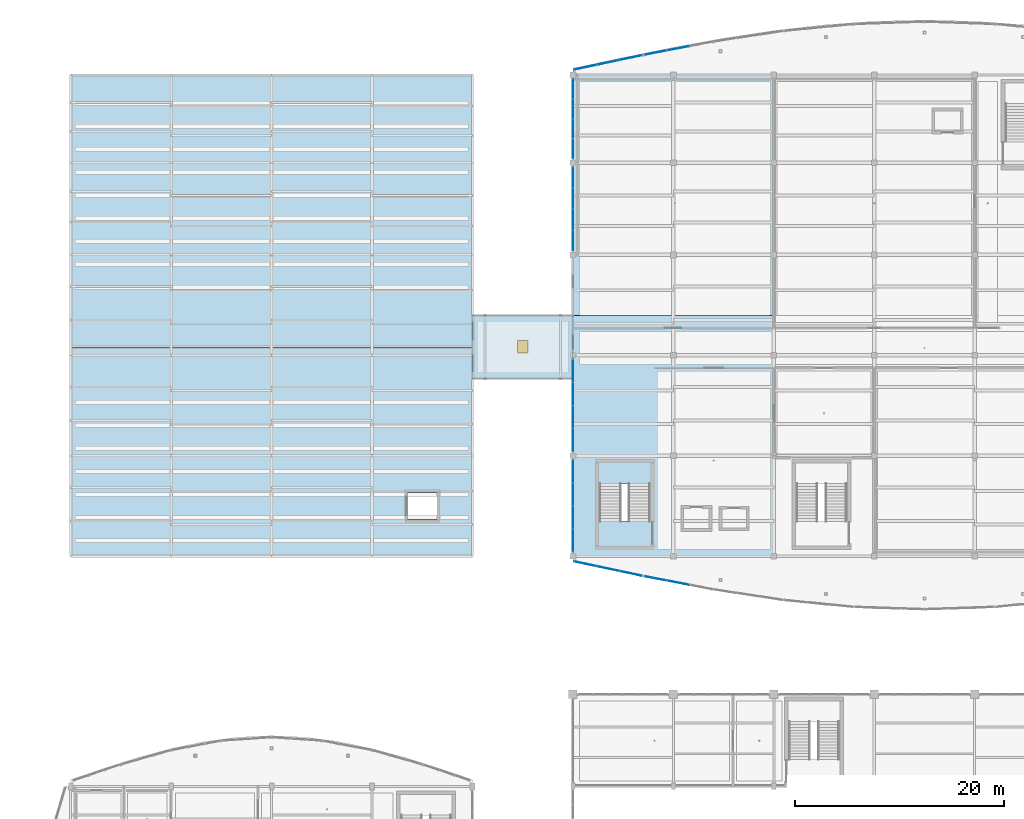
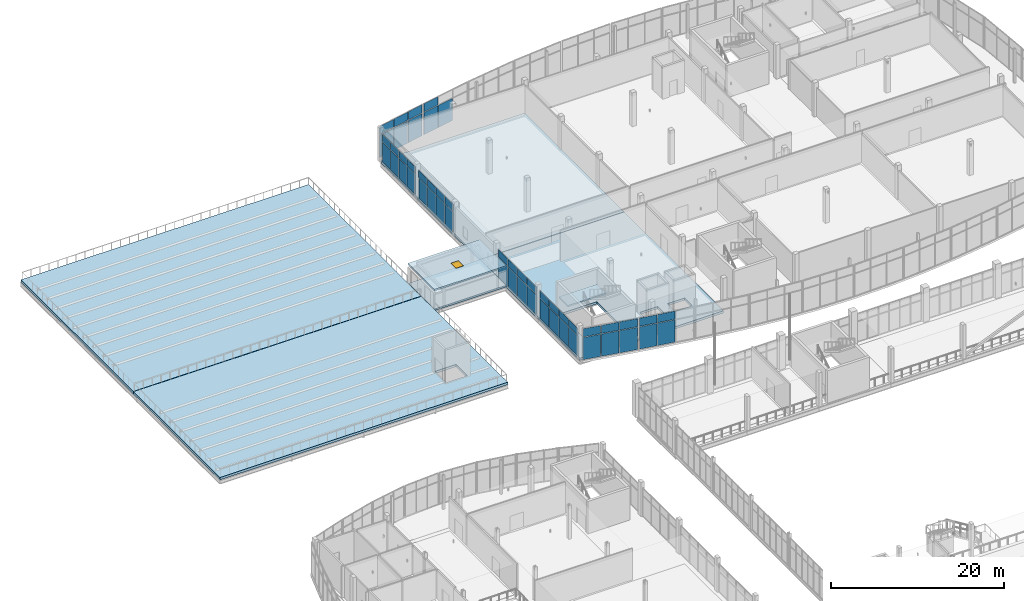
# One storey, part 122 of 157: 51 plates, 7 slabs, 1 door, 1 opening, 9 elements without a shape of their own.
"""IFC4 building model written with IfcOpenShell, lengths in metres."""

from ifc_helpers import new_model, si_unit, direction, frame, origin, origin_2d, place, context, subcontext, project, spatial, polyline, rectangle, outline, extrude, material, layer, layer_set, type_object, element, fill, aggregate, save


model = new_model("IFC4")

# Units and contexts
model_context = context("Model", 3, precision=1e-05, world=origin(), true_north=direction((0.0, 1.0)))
body_context = subcontext(model_context, "Body", "Model", "MODEL_VIEW")
ifc_project = project(units=[si_unit("LENGTHUNIT", "METRE"), si_unit("AREAUNIT", "SQUARE_METRE"), si_unit("VOLUMEUNIT", "CUBIC_METRE"), si_unit("PLANEANGLEUNIT", "RADIAN"), si_unit("MASSUNIT", "GRAM", prefix="KILO")], contexts=[model_context])

# Site, building, storey
site_placement = place(None, origin())
site = spatial("IfcSite", under=ifc_project, at=site_placement, CompositionType="ELEMENT")
building_placement = place(site_placement, origin())
building = spatial("IfcBuilding", under=site, at=building_placement, Name="Chalmorin Arch Market", CompositionType="ELEMENT")
storey_placement = place(building_placement, frame((0.0, 0.0, 4.800048828125)))
storey = spatial("IfcBuildingStorey", under=building, at=storey_placement, Name="L01", CompositionType="ELEMENT", Elevation=4.800048828125)

# Slab, opening, door
ifc_material_1 = material(Name="Concrete C40/50", Category="concrete")
ifc_layer_1 = layer(ifc_material_1, 0.219970703125)
ifc_layer_set_1 = layer_set([ifc_layer_1], Name="Concrete C40/50")
slab_type_1 = type_object("IfcSlabType", Name="ColonnadeCanopySlab-220", PredefinedType="ROOF", material=ifc_layer_set_1)
slab_1_placement = place(storey_placement, frame((0.0, 0.0, 2.579833984375)))
slab_1 = element("IfcSlab", 1, at=slab_1_placement, inside=storey, type_object=slab_type_1, Name="RS-220-WMP", PredefinedType="ROOF", context=body_context, shape_type="SweptSolid", body=[
    extrude(outline(polyline([(38.39990234375, 88.949951171875), (48.0, 88.949951171875), (48.0, 95.050048828125), (38.39990234375, 95.050048828125), (38.39990234375, 88.949951171875)])), origin(), (0.0, 0.0, 1.0), 0.22021484375),
])
opening_placement = place(slab_1_placement, frame((43.199951171875, 92.0, -0.010009765625)))
opening = element("IfcOpeningElement", 2, at=opening_placement, cuts=slab_1, Name="Opening RH-063", PredefinedType="OPENING", context=body_context, shape_type="SweptSolid", body=[
    extrude(rectangle(XDim=1.0, YDim=1.199951171875, at=origin_2d()), origin(), (0.0, 0.0, 1.0), 0.240234375),
])
ifc_material_2 = material(Name="Galvanised Steel", Category="steel")
door_type = type_object("IfcDoorType", Name="RoofAccessHatchDoor-1000x1200", OperationType="SWING_FIXED_LEFT", PredefinedType="TRAPDOOR", material=ifc_material_2)
door_placement = place(slab_1_placement, frame((43.199951171875, 92.0, 0.170166015625)))
door = element("IfcDoor", 3, at=door_placement, inside=storey, type_object=door_type, Name="RH-063", OperationType="SINGLE_SWING_LEFT", OverallHeight=1.199951171875, OverallWidth=1.0, PredefinedType="TRAPDOOR", context=body_context, shape_type="SweptSolid", body=[
    extrude(rectangle(XDim=1.0, YDim=1.199951171875, at=origin_2d()), origin(), (0.0, 0.0, 1.0), 0.050048828125),
])
fill(opening, door)

# Slabs
ifc_layer_2 = layer(ifc_material_1, 0.340087890625)
ifc_layer_set_2 = layer_set([ifc_layer_2], Name="Concrete C40/50")
slab_type_2 = type_object("IfcSlabType", Name="GreenMoundDeckSlab-340", PredefinedType="FLOOR", material=ifc_layer_set_2)
slab_2_placement = place(storey_placement, frame((0.0, 0.0, -0.340087890625)))
element("IfcSlab", 4, at=slab_2_placement, inside=storey, type_object=slab_type_2, Name="ETS-340-094", PredefinedType="FLOOR", context=body_context, shape_type="SweptSolid", body=[
    extrude(outline(polyline([(0.010009765625, 72.0), (38.389892578125, 72.0), (38.389892578125, 91.97998046875), (0.010009765625, 91.97998046875), (0.010009765625, 72.0)]), holes=[polyline([(32.199951171875, 75.5), (35.0, 75.5), (35.0, 78.10009765625), (32.199951171875, 78.10009765625), (32.199951171875, 75.5)])]), origin(), (0.0, 0.0, 1.0), 0.340087890625),
])
slab_3_placement = place(storey_placement, frame((0.0, 0.0, -0.340087890625)))
element("IfcSlab", 5, at=slab_3_placement, inside=storey, type_object=slab_type_2, Name="ETS-340-095", PredefinedType="FLOOR", context=body_context, shape_type="SweptSolid", body=[
    extrude(outline(polyline([(0.010009765625, 92.02001953125), (38.389892578125, 92.02001953125), (38.389892578125, 118.0), (0.010009765625, 118.0), (0.010009765625, 92.02001953125)])), origin(), (0.0, 0.0, 1.0), 0.340087890625),
])
ifc_layer_3 = layer(ifc_material_1, 0.320068359375)
ifc_layer_set_3 = layer_set([ifc_layer_3], Name="Concrete C40/50")
slab_type_3 = type_object("IfcSlabType", Name="KitchenHeavyFloorSlab-320", PredefinedType="FLOOR", material=ifc_layer_set_3)
slab_4_placement = place(storey_placement, frame((0.0, 0.0, -0.320068359375)))
element("IfcSlab", 6, at=slab_4_placement, inside=storey, type_object=slab_type_3, Name="FS-320-098", PredefinedType="FLOOR", context=body_context, shape_type="SweptSolid", body=[
    extrude(outline(polyline([(48.010009765625, 72.0), (67.18994140625, 72.0), (67.18994140625, 94.989990234375), (48.010009765625, 94.989990234375), (48.010009765625, 72.0)]), holes=[polyline([(50.5, 75.35009765625), (55.39990234375, 75.35009765625), (55.39990234375, 80.89990234375), (50.5, 80.89990234375), (50.5, 75.35009765625)]), polyline([(58.60009765625, 74.64990234375), (61.0, 74.64990234375), (61.0, 76.550048828125), (58.60009765625, 76.550048828125), (58.60009765625, 74.64990234375)]), polyline([(62.25, 74.72509765625), (64.550048828125, 74.72509765625), (64.550048828125, 76.47509765625), (62.25, 76.47509765625), (62.25, 74.72509765625)])]), origin(), (0.0, 0.0, 1.0), 0.320068359375),
])
slab_5_placement = place(storey_placement, frame((0.0, 0.0, -0.320068359375)))
element("IfcSlab", 7, at=slab_5_placement, inside=storey, type_object=slab_type_3, Name="FS-320-099", PredefinedType="FLOOR", context=body_context, shape_type="SweptSolid", body=[
    extrude(outline(polyline([(48.010009765625, 95.010009765625), (67.18994140625, 95.010009765625), (67.18994140625, 118.0), (48.010009765625, 118.0), (48.010009765625, 95.010009765625)])), origin(), (0.0, 0.0, 1.0), 0.320068359375),
])
ifc_layer_4 = layer(ifc_material_1, 0.25)
ifc_layer_set_4 = layer_set([ifc_layer_4], Name="Concrete C40/50")
slab_type_4 = type_object("IfcSlabType", Name="MezzanineDeckSlab-250", PredefinedType="FLOOR", material=ifc_layer_set_4)
slab_6_placement = place(storey_placement, frame((0.0, 0.0, -0.25)))
element("IfcSlab", 8, at=slab_6_placement, inside=storey, type_object=slab_type_4, Name="FS-250-712", PredefinedType="FLOOR", context=body_context, shape_type="SweptSolid", body=[
    extrude(outline(polyline([(38.419921875, 89.0), (47.97998046875, 89.0), (47.97998046875, 95.0), (38.419921875, 95.0), (38.419921875, 89.0)])), origin(), (0.0, 0.0, 1.0), 0.25),
])

# Curtain wall, plates
ifc_material_3 = material(Name="Aluminium 6063-T6", Category="aluminium")
ifc_layer_5 = layer(ifc_material_3, 0.159912109375)
ifc_layer_set_5 = layer_set([ifc_layer_5], Name="Aluminium 6063-T6")
curtain_wall_type_1 = type_object("IfcCurtainWallType", Name="CulinaryStudioCurtainWall-CW3-8830x4050", PredefinedType="NOTDEFINED", material=ifc_layer_set_5)
curtain_wall_1_placement = place(storey_placement, origin())
curtain_wall_1 = element("IfcCurtainWall", 9, at=curtain_wall_1_placement, inside=storey, type_object=curtain_wall_type_1, Name="CW-03-107", PredefinedType="NOTDEFINED")
ifc_material_4 = material(Name="Powder-coated Aluminium Panel", Category="aluminium")
ifc_layer_6 = layer(ifc_material_4, 0.0400390625)
ifc_layer_set_6 = layer_set([ifc_layer_6], Name="Powder-coated Aluminium Panel")
plate_type_1 = type_object("IfcPlateType", Name="ShadowboxSpandrelPanel-40", PredefinedType="CURTAIN_PANEL", material=ifc_layer_set_6)
plate_1_placement = place(storey_placement, frame((48.0, 73.48876953125, 2.9580078125), z_axis=(0.0, 0.0, 1.0), x_axis=(0.0, 1.0, 0.0)))
plate_1 = element("IfcPlate", 10, at=plate_1_placement, type_object=plate_type_1, Name="SP-40-107-01B", PredefinedType="CURTAIN_PANEL", context=body_context, shape_type="SweptSolid", body=[
    extrude(rectangle(XDim=2.12744140625, YDim=0.0400390625, at=origin_2d()), origin(), (0.0, 0.0, 1.0), 1.017822265625),
])
plate_2_placement = place(storey_placement, frame((48.0, 75.6962890625, 2.9580078125), z_axis=(0.0, 0.0, 1.0), x_axis=(0.0, 1.0, 0.0)))
plate_2 = element("IfcPlate", 11, at=plate_2_placement, type_object=plate_type_1, Name="SP-40-107-02B", PredefinedType="CURTAIN_PANEL", context=body_context, shape_type="SweptSolid", body=[
    extrude(rectangle(XDim=2.12744140625, YDim=0.0400390625, at=origin_2d()), origin(), (0.0, 0.0, 1.0), 1.017822265625),
])
plate_3_placement = place(storey_placement, frame((48.0, 77.90380859375, 2.9580078125), z_axis=(0.0, 0.0, 1.0), x_axis=(0.0, 1.0, 0.0)))
plate_3 = element("IfcPlate", 12, at=plate_3_placement, type_object=plate_type_1, Name="SP-40-107-03B", PredefinedType="CURTAIN_PANEL", context=body_context, shape_type="SweptSolid", body=[
    extrude(rectangle(XDim=2.12744140625, YDim=0.0400390625, at=origin_2d()), origin(), (0.0, 0.0, 1.0), 1.017822265625),
])
plate_4_placement = place(storey_placement, frame((48.0, 80.111083984375, 2.9580078125), z_axis=(0.0, 0.0, 1.0), x_axis=(0.0, 1.0, 0.0)))
plate_4 = element("IfcPlate", 13, at=plate_4_placement, type_object=plate_type_1, Name="SP-40-107-04B", PredefinedType="CURTAIN_PANEL", context=body_context, shape_type="SweptSolid", body=[
    extrude(rectangle(XDim=2.12744140625, YDim=0.0400390625, at=origin_2d()), origin(), (0.0, 0.0, 1.0), 1.017822265625),
])

curtain_wall_2_placement = place(storey_placement, origin())
curtain_wall_2 = element("IfcCurtainWall", 14, at=curtain_wall_2_placement, inside=storey, type_object=curtain_wall_type_1, Name="CW-03-110", PredefinedType="NOTDEFINED")
plate_5_placement = place(storey_placement, frame((48.0, 83.0888671875, 2.9580078125), z_axis=(0.0, 0.0, 1.0), x_axis=(0.0, 1.0, 0.0)))
plate_5 = element("IfcPlate", 15, at=plate_5_placement, type_object=plate_type_1, Name="SP-40-110-01B", PredefinedType="CURTAIN_PANEL", context=body_context, shape_type="SweptSolid", body=[
    extrude(rectangle(XDim=2.12744140625, YDim=0.0400390625, at=origin_2d()), origin(), (0.0, 0.0, 1.0), 1.017822265625),
])
plate_6_placement = place(storey_placement, frame((48.0, 85.29638671875, 2.9580078125), z_axis=(0.0, 0.0, 1.0), x_axis=(0.0, 1.0, 0.0)))
plate_6 = element("IfcPlate", 16, at=plate_6_placement, type_object=plate_type_1, Name="SP-40-110-02B", PredefinedType="CURTAIN_PANEL", context=body_context, shape_type="SweptSolid", body=[
    extrude(rectangle(XDim=2.12744140625, YDim=0.0400390625, at=origin_2d()), origin(), (0.0, 0.0, 1.0), 1.017822265625),
])
plate_7_placement = place(storey_placement, frame((48.0, 87.503662109375, 2.9580078125), z_axis=(0.0, 0.0, 1.0), x_axis=(0.0, 1.0, 0.0)))
plate_7 = element("IfcPlate", 17, at=plate_7_placement, type_object=plate_type_1, Name="SP-40-110-03B", PredefinedType="CURTAIN_PANEL", context=body_context, shape_type="SweptSolid", body=[
    extrude(rectangle(XDim=2.12744140625, YDim=0.0400390625, at=origin_2d()), origin(), (0.0, 0.0, 1.0), 1.017822265625),
])
plate_8_placement = place(storey_placement, frame((48.0, 89.711181640625, 2.9580078125), z_axis=(0.0, 0.0, 1.0), x_axis=(0.0, 1.0, 0.0)))
plate_8 = element("IfcPlate", 18, at=plate_8_placement, type_object=plate_type_1, Name="SP-40-110-04B", PredefinedType="CURTAIN_PANEL", context=body_context, shape_type="SweptSolid", body=[
    extrude(rectangle(XDim=2.12744140625, YDim=0.0400390625, at=origin_2d()), origin(), (0.0, 0.0, 1.0), 1.017822265625),
])

ifc_layer_7 = layer(ifc_material_3, 0.159912109375)
ifc_layer_set_7 = layer_set([ifc_layer_7], Name="Aluminium 6063-T6")
curtain_wall_type_2 = type_object("IfcCurtainWallType", Name="CulinaryStudioCurtainWall-CW3-8030x4050", PredefinedType="NOTDEFINED", material=ifc_layer_set_7)
curtain_wall_3_placement = place(storey_placement, origin())
curtain_wall_3 = element("IfcCurtainWall", 19, at=curtain_wall_3_placement, inside=storey, type_object=curtain_wall_type_2, Name="CW-03-115", PredefinedType="NOTDEFINED")
plate_9_placement = place(storey_placement, frame((48.0, 102.188720703125, 2.9580078125), z_axis=(0.0, 0.0, 1.0), x_axis=(0.0, 1.0, 0.0)))
plate_9 = element("IfcPlate", 20, at=plate_9_placement, type_object=plate_type_1, Name="SP-40-115-01B", PredefinedType="CURTAIN_PANEL", context=body_context, shape_type="SweptSolid", body=[
    extrude(rectangle(XDim=1.927490234375, YDim=0.0400390625, at=origin_2d()), origin(), (0.0, 0.0, 1.0), 1.017822265625),
])
plate_10_placement = place(storey_placement, frame((48.0, 104.1962890625, 2.9580078125), z_axis=(0.0, 0.0, 1.0), x_axis=(0.0, 1.0, 0.0)))
plate_10 = element("IfcPlate", 21, at=plate_10_placement, type_object=plate_type_1, Name="SP-40-115-02B", PredefinedType="CURTAIN_PANEL", context=body_context, shape_type="SweptSolid", body=[
    extrude(rectangle(XDim=1.927490234375, YDim=0.0400390625, at=origin_2d()), origin(), (0.0, 0.0, 1.0), 1.017822265625),
])
plate_11_placement = place(storey_placement, frame((48.0, 106.20361328125, 2.9580078125), z_axis=(0.0, 0.0, 1.0), x_axis=(0.0, 1.0, 0.0)))
plate_11 = element("IfcPlate", 22, at=plate_11_placement, type_object=plate_type_1, Name="SP-40-115-03B", PredefinedType="CURTAIN_PANEL", context=body_context, shape_type="SweptSolid", body=[
    extrude(rectangle(XDim=1.927490234375, YDim=0.0400390625, at=origin_2d()), origin(), (0.0, 0.0, 1.0), 1.017822265625),
])
plate_12_placement = place(storey_placement, frame((48.0, 108.211181640625, 2.9580078125), z_axis=(0.0, 0.0, 1.0), x_axis=(0.0, 1.0, 0.0)))
plate_12 = element("IfcPlate", 23, at=plate_12_placement, type_object=plate_type_1, Name="SP-40-115-04B", PredefinedType="CURTAIN_PANEL", context=body_context, shape_type="SweptSolid", body=[
    extrude(rectangle(XDim=1.927490234375, YDim=0.0400390625, at=origin_2d()), origin(), (0.0, 0.0, 1.0), 1.017822265625),
])

ifc_layer_8 = layer(ifc_material_3, 0.159912109375)
ifc_layer_set_8 = layer_set([ifc_layer_8], Name="Aluminium 6063-T6")
curtain_wall_type_3 = type_object("IfcCurtainWallType", Name="CulinaryStudioCurtainWall-CW3-7630x4050", PredefinedType="NOTDEFINED", material=ifc_layer_set_8)
curtain_wall_4_placement = place(storey_placement, origin())
curtain_wall_4 = element("IfcCurtainWall", 24, at=curtain_wall_4_placement, inside=storey, type_object=curtain_wall_type_3, Name="CW-03-118", PredefinedType="NOTDEFINED")
plate_13_placement = place(storey_placement, frame((48.0, 110.938720703125, 2.9580078125), z_axis=(0.0, 0.0, 1.0), x_axis=(0.0, 1.0, 0.0)))
plate_13 = element("IfcPlate", 25, at=plate_13_placement, type_object=plate_type_1, Name="SP-40-118-01B", PredefinedType="CURTAIN_PANEL", context=body_context, shape_type="SweptSolid", body=[
    extrude(rectangle(XDim=1.827392578125, YDim=0.0400390625, at=origin_2d()), origin(), (0.0, 0.0, 1.0), 1.017822265625),
])
plate_14_placement = place(storey_placement, frame((48.0, 112.84619140625, 2.9580078125), z_axis=(0.0, 0.0, 1.0), x_axis=(0.0, 1.0, 0.0)))
plate_14 = element("IfcPlate", 26, at=plate_14_placement, type_object=plate_type_1, Name="SP-40-118-02B", PredefinedType="CURTAIN_PANEL", context=body_context, shape_type="SweptSolid", body=[
    extrude(rectangle(XDim=1.827392578125, YDim=0.0400390625, at=origin_2d()), origin(), (0.0, 0.0, 1.0), 1.017822265625),
])
plate_15_placement = place(storey_placement, frame((48.0, 114.753662109375, 2.9580078125), z_axis=(0.0, 0.0, 1.0), x_axis=(0.0, 1.0, 0.0)))
plate_15 = element("IfcPlate", 27, at=plate_15_placement, type_object=plate_type_1, Name="SP-40-118-03B", PredefinedType="CURTAIN_PANEL", context=body_context, shape_type="SweptSolid", body=[
    extrude(rectangle(XDim=1.827392578125, YDim=0.0400390625, at=origin_2d()), origin(), (0.0, 0.0, 1.0), 1.017822265625),
])
plate_16_placement = place(storey_placement, frame((48.0, 116.6611328125, 2.9580078125), z_axis=(0.0, 0.0, 1.0), x_axis=(0.0, 1.0, 0.0)))
plate_16 = element("IfcPlate", 28, at=plate_16_placement, type_object=plate_type_1, Name="SP-40-118-04B", PredefinedType="CURTAIN_PANEL", context=body_context, shape_type="SweptSolid", body=[
    extrude(rectangle(XDim=1.827392578125, YDim=0.0400390625, at=origin_2d()), origin(), (0.0, 0.0, 1.0), 1.017822265625),
])

# Stair, slab
stair_type = type_object("IfcStairType", Name="DoglegExitStair-28R-SC5", PredefinedType="HALF_TURN_STAIR", material=ifc_material_1)
stair_placement = place(storey_placement, origin())
stair = element("IfcStair", 29, at=stair_placement, inside=storey, type_object=stair_type, Name="ST-13", PredefinedType="HALF_TURN_STAIR")
ifc_layer_9 = layer(ifc_material_1, 0.205078125)
ifc_layer_set_9 = layer_set([ifc_layer_9], Name="Concrete C40/50")
slab_type_5 = type_object("IfcSlabType", Name="StairLandingSlab-205", PredefinedType="LANDING", material=ifc_layer_set_9)
slab_7_placement = place(storey_placement, frame((0.0, 0.0, 2.195068359375)))
slab_7 = element("IfcSlab", 30, at=slab_7_placement, type_object=slab_type_5, Name="LS-013", PredefinedType="LANDING", context=body_context, shape_type="SweptSolid", body=[
    extrude(outline(polyline([(50.419921875, 78.909912109375), (55.47998046875, 78.909912109375), (55.47998046875, 80.97998046875), (50.419921875, 80.97998046875), (50.419921875, 78.909912109375)])), origin(), (0.0, 0.0, 1.0), 0.204833984375),
])
aggregate(stair, [slab_7])

# Curtain wall, plates
ifc_layer_10 = layer(ifc_material_3, 0.159912109375)
ifc_layer_set_10 = layer_set([ifc_layer_10], Name="Aluminium 6063-T6")
curtain_wall_type_4 = type_object("IfcCurtainWallType", Name="CulinaryStudioCurtainWall-CW3-6690x4520", PredefinedType="NOTDEFINED", material=ifc_layer_set_10)
curtain_wall_5_placement = place(storey_placement, origin())
curtain_wall_5 = element("IfcCurtainWall", 31, at=curtain_wall_5_placement, inside=storey, type_object=curtain_wall_type_4, Name="CW-03-121", PredefinedType="NOTDEFINED")
ifc_material_5 = material(Name="Architectural Terracotta", Category="masonry")
ifc_layer_11 = layer(ifc_material_5, 0.044921875)
ifc_layer_set_11 = layer_set([ifc_layer_11], Name="Architectural Terracotta")
plate_type_2 = type_object("IfcPlateType", Name="TerracottaSpandrelPanel-45", PredefinedType="CURTAIN_PANEL", material=ifc_layer_set_11)
plate_17_placement = place(storey_placement, frame((49.1787109375, 118.729248046875, 3.29931640625), z_axis=(0.0, 0.0, 1.0), x_axis=(0.978147600734, 0.207911690818, 0.0)))
plate_17 = element("IfcPlate", 32, at=plate_17_placement, type_object=plate_type_2, Name="SP-45-121-01B", PredefinedType="CURTAIN_PANEL", context=body_context, shape_type="SweptSolid", body=[
    extrude(rectangle(XDim=2.1494140625, YDim=0.044921875, at=origin_2d()), origin(), (0.0, 0.0, 1.0), 1.150634765625),
])
plate_18_placement = place(storey_placement, frame((51.360107421875, 119.1904296875, 3.29931640625), z_axis=(0.0, 0.0, 1.0), x_axis=(0.978147600734, 0.207911690818, 0.0)))
plate_18 = element("IfcPlate", 33, at=plate_18_placement, type_object=plate_type_2, Name="SP-45-121-02B", PredefinedType="CURTAIN_PANEL", context=body_context, shape_type="SweptSolid", body=[
    extrude(rectangle(XDim=2.1494140625, YDim=0.044921875, at=origin_2d()), origin(), (0.0, 0.0, 1.0), 1.150634765625),
])
plate_19_placement = place(storey_placement, frame((53.541259765625, 119.65185546875, 3.29931640625), z_axis=(0.0, 0.0, 1.0), x_axis=(0.978147600734, 0.207911690818, 0.0)))
plate_19 = element("IfcPlate", 34, at=plate_19_placement, type_object=plate_type_2, Name="SP-45-121-03B", PredefinedType="CURTAIN_PANEL", context=body_context, shape_type="SweptSolid", body=[
    extrude(rectangle(XDim=2.1494140625, YDim=0.044921875, at=origin_2d()), origin(), (0.0, 0.0, 1.0), 1.150634765625),
])

# Curtain wall, plate
ifc_layer_12 = layer(ifc_material_3, 0.159912109375)
ifc_layer_set_12 = layer_set([ifc_layer_12], Name="Aluminium 6063-T6")
curtain_wall_type_5 = type_object("IfcCurtainWallType", Name="CulinaryStudioCurtainWall-CW3-6660x4520", PredefinedType="NOTDEFINED", material=ifc_layer_set_12)
curtain_wall_6_placement = place(storey_placement, origin())
curtain_wall_6 = element("IfcCurtainWall", 35, at=curtain_wall_6_placement, inside=storey, type_object=curtain_wall_type_5, Name="CW-03-124", PredefinedType="NOTDEFINED")
plate_20_placement = place(storey_placement, frame((55.89892578125, 120.126220703125, 3.29931640625), z_axis=(0.0, 0.0, 1.0), x_axis=(0.981627183448, 0.190808995377, 0.0)))
plate_20 = element("IfcPlate", 36, at=plate_20_placement, type_object=plate_type_2, Name="SP-45-124-01B", PredefinedType="CURTAIN_PANEL", context=body_context, shape_type="SweptSolid", body=[
    extrude(rectangle(XDim=2.140380859375, YDim=0.044921875, at=origin_2d()), origin(), (0.0, 0.0, 1.0), 1.150634765625),
])

# Curtain wall, plates
curtain_wall_7_placement = place(storey_placement, origin())
curtain_wall_7 = element("IfcCurtainWall", 37, at=curtain_wall_7_placement, inside=storey, type_object=curtain_wall_type_4, Name="CW-03-150", PredefinedType="NOTDEFINED")
plate_21_placement = place(storey_placement, frame((49.1787109375, 71.270751953125, 3.29931640625), z_axis=(0.0, 0.0, 1.0), x_axis=(0.978147600734, -0.207911690818, 0.0)))
plate_21 = element("IfcPlate", 38, at=plate_21_placement, type_object=plate_type_2, Name="SP-45-150-01B", PredefinedType="CURTAIN_PANEL", context=body_context, shape_type="SweptSolid", body=[
    extrude(rectangle(XDim=2.1494140625, YDim=0.044921875, at=origin_2d()), origin(), (0.0, 0.0, 1.0), 1.150634765625),
])
plate_22_placement = place(storey_placement, frame((51.360107421875, 70.8095703125, 3.29931640625), z_axis=(0.0, 0.0, 1.0), x_axis=(0.978147600734, -0.207911690818, 0.0)))
plate_22 = element("IfcPlate", 39, at=plate_22_placement, type_object=plate_type_2, Name="SP-45-150-02B", PredefinedType="CURTAIN_PANEL", context=body_context, shape_type="SweptSolid", body=[
    extrude(rectangle(XDim=2.1494140625, YDim=0.044921875, at=origin_2d()), origin(), (0.0, 0.0, 1.0), 1.150634765625),
])
plate_23_placement = place(storey_placement, frame((53.541259765625, 70.34814453125, 3.29931640625), z_axis=(0.0, 0.0, 1.0), x_axis=(0.978147600734, -0.207911690818, 0.0)))
plate_23 = element("IfcPlate", 40, at=plate_23_placement, type_object=plate_type_2, Name="SP-45-150-03B", PredefinedType="CURTAIN_PANEL", context=body_context, shape_type="SweptSolid", body=[
    extrude(rectangle(XDim=2.1494140625, YDim=0.044921875, at=origin_2d()), origin(), (0.0, 0.0, 1.0), 1.150634765625),
])

curtain_wall_8_placement = place(storey_placement, origin())
curtain_wall_8 = element("IfcCurtainWall", 41, at=curtain_wall_8_placement, inside=storey, type_object=curtain_wall_type_5, Name="CW-03-153", PredefinedType="NOTDEFINED")
plate_24_placement = place(storey_placement, frame((55.89892578125, 69.873779296875, 3.29931640625), z_axis=(0.0, 0.0, 1.0), x_axis=(0.981627183448, -0.190808995377, 0.0)))
plate_24 = element("IfcPlate", 42, at=plate_24_placement, type_object=plate_type_2, Name="SP-45-153-01B", PredefinedType="CURTAIN_PANEL", context=body_context, shape_type="SweptSolid", body=[
    extrude(rectangle(XDim=2.140380859375, YDim=0.044921875, at=origin_2d()), origin(), (0.0, 0.0, 1.0), 1.150634765625),
])
plate_25_placement = place(storey_placement, frame((58.080078125, 69.45751953125, 3.29931640625), z_axis=(0.0, 0.0, 1.0), x_axis=(0.981627183448, -0.190808995377, 0.0)))
plate_25 = element("IfcPlate", 43, at=plate_25_placement, type_object=plate_type_2, Name="SP-45-153-02B", PredefinedType="CURTAIN_PANEL", context=body_context, shape_type="SweptSolid", body=[
    extrude(rectangle(XDim=2.140380859375, YDim=0.044921875, at=origin_2d()), origin(), (0.0, 0.0, 1.0), 1.150634765625),
])

# Plate
ifc_material_6 = material(Name="Low-E Tempered Glass", Category="glass")
ifc_layer_13 = layer(ifc_material_6, 0.028076171875)
ifc_layer_set_13 = layer_set([ifc_layer_13], Name="Low-E Tempered Glass")
plate_type_3 = type_object("IfcPlateType", Name="VisionIGUPanel-28", PredefinedType="CURTAIN_PANEL", material=ifc_layer_set_13)
plate_26_placement = place(storey_placement, frame((48.0, 73.48876953125, 0.06982421875), z_axis=(0.0, 0.0, 1.0), x_axis=(0.0, 1.0, 0.0)))
plate_26 = element("IfcPlate", 44, at=plate_26_placement, type_object=plate_type_3, Name="GL-28-107-01A", PredefinedType="CURTAIN_PANEL", context=body_context, shape_type="SweptSolid", body=[
    extrude(rectangle(XDim=2.12744140625, YDim=0.028076171875, at=origin_2d()), origin(), (0.0, 0.0, 1.0), 2.798095703125),
])

plate_27_placement = place(storey_placement, frame((48.0, 75.6962890625, 0.06982421875), z_axis=(0.0, 0.0, 1.0), x_axis=(0.0, 1.0, 0.0)))
plate_27 = element("IfcPlate", 45, at=plate_27_placement, type_object=plate_type_3, Name="GL-28-107-02A", PredefinedType="CURTAIN_PANEL", context=body_context, shape_type="SweptSolid", body=[
    extrude(rectangle(XDim=2.12744140625, YDim=0.028076171875, at=origin_2d()), origin(), (0.0, 0.0, 1.0), 2.798095703125),
])

plate_28_placement = place(storey_placement, frame((48.0, 77.90380859375, 0.06982421875), z_axis=(0.0, 0.0, 1.0), x_axis=(0.0, 1.0, 0.0)))
plate_28 = element("IfcPlate", 46, at=plate_28_placement, type_object=plate_type_3, Name="GL-28-107-03A", PredefinedType="CURTAIN_PANEL", context=body_context, shape_type="SweptSolid", body=[
    extrude(rectangle(XDim=2.12744140625, YDim=0.028076171875, at=origin_2d()), origin(), (0.0, 0.0, 1.0), 2.798095703125),
])

plate_29_placement = place(storey_placement, frame((48.0, 80.111083984375, 0.06982421875), z_axis=(0.0, 0.0, 1.0), x_axis=(0.0, 1.0, 0.0)))
plate_29 = element("IfcPlate", 47, at=plate_29_placement, type_object=plate_type_3, Name="GL-28-107-04A", PredefinedType="CURTAIN_PANEL", context=body_context, shape_type="SweptSolid", body=[
    extrude(rectangle(XDim=2.12744140625, YDim=0.028076171875, at=origin_2d()), origin(), (0.0, 0.0, 1.0), 2.798095703125),
])

aggregate(curtain_wall_1, [plate_26, plate_1, plate_27, plate_2, plate_28, plate_3, plate_29, plate_4])

plate_30_placement = place(storey_placement, frame((48.0, 83.0888671875, 0.06982421875), z_axis=(0.0, 0.0, 1.0), x_axis=(0.0, 1.0, 0.0)))
plate_30 = element("IfcPlate", 48, at=plate_30_placement, type_object=plate_type_3, Name="GL-28-110-01A", PredefinedType="CURTAIN_PANEL", context=body_context, shape_type="SweptSolid", body=[
    extrude(rectangle(XDim=2.12744140625, YDim=0.028076171875, at=origin_2d()), origin(), (0.0, 0.0, 1.0), 2.798095703125),
])

plate_31_placement = place(storey_placement, frame((48.0, 85.29638671875, 0.06982421875), z_axis=(0.0, 0.0, 1.0), x_axis=(0.0, 1.0, 0.0)))
plate_31 = element("IfcPlate", 49, at=plate_31_placement, type_object=plate_type_3, Name="GL-28-110-02A", PredefinedType="CURTAIN_PANEL", context=body_context, shape_type="SweptSolid", body=[
    extrude(rectangle(XDim=2.12744140625, YDim=0.028076171875, at=origin_2d()), origin(), (0.0, 0.0, 1.0), 2.798095703125),
])

plate_32_placement = place(storey_placement, frame((48.0, 87.503662109375, 0.06982421875), z_axis=(0.0, 0.0, 1.0), x_axis=(0.0, 1.0, 0.0)))
plate_32 = element("IfcPlate", 50, at=plate_32_placement, type_object=plate_type_3, Name="GL-28-110-03A", PredefinedType="CURTAIN_PANEL", context=body_context, shape_type="SweptSolid", body=[
    extrude(rectangle(XDim=2.12744140625, YDim=0.028076171875, at=origin_2d()), origin(), (0.0, 0.0, 1.0), 2.798095703125),
])

plate_33_placement = place(storey_placement, frame((48.0, 89.711181640625, 0.06982421875), z_axis=(0.0, 0.0, 1.0), x_axis=(0.0, 1.0, 0.0)))
plate_33 = element("IfcPlate", 51, at=plate_33_placement, type_object=plate_type_3, Name="GL-28-110-04A", PredefinedType="CURTAIN_PANEL", context=body_context, shape_type="SweptSolid", body=[
    extrude(rectangle(XDim=2.12744140625, YDim=0.028076171875, at=origin_2d()), origin(), (0.0, 0.0, 1.0), 2.798095703125),
])

aggregate(curtain_wall_2, [plate_30, plate_5, plate_31, plate_6, plate_32, plate_7, plate_33, plate_8])

plate_34_placement = place(storey_placement, frame((48.0, 102.188720703125, 0.06982421875), z_axis=(0.0, 0.0, 1.0), x_axis=(0.0, 1.0, 0.0)))
plate_34 = element("IfcPlate", 52, at=plate_34_placement, type_object=plate_type_3, Name="GL-28-115-01A", PredefinedType="CURTAIN_PANEL", context=body_context, shape_type="SweptSolid", body=[
    extrude(rectangle(XDim=1.927490234375, YDim=0.028076171875, at=origin_2d()), origin(), (0.0, 0.0, 1.0), 2.798095703125),
])

plate_35_placement = place(storey_placement, frame((48.0, 104.1962890625, 0.06982421875), z_axis=(0.0, 0.0, 1.0), x_axis=(0.0, 1.0, 0.0)))
plate_35 = element("IfcPlate", 53, at=plate_35_placement, type_object=plate_type_3, Name="GL-28-115-02A", PredefinedType="CURTAIN_PANEL", context=body_context, shape_type="SweptSolid", body=[
    extrude(rectangle(XDim=1.927490234375, YDim=0.028076171875, at=origin_2d()), origin(), (0.0, 0.0, 1.0), 2.798095703125),
])

plate_36_placement = place(storey_placement, frame((48.0, 106.20361328125, 0.06982421875), z_axis=(0.0, 0.0, 1.0), x_axis=(0.0, 1.0, 0.0)))
plate_36 = element("IfcPlate", 54, at=plate_36_placement, type_object=plate_type_3, Name="GL-28-115-03A", PredefinedType="CURTAIN_PANEL", context=body_context, shape_type="SweptSolid", body=[
    extrude(rectangle(XDim=1.927490234375, YDim=0.028076171875, at=origin_2d()), origin(), (0.0, 0.0, 1.0), 2.798095703125),
])

plate_37_placement = place(storey_placement, frame((48.0, 108.211181640625, 0.06982421875), z_axis=(0.0, 0.0, 1.0), x_axis=(0.0, 1.0, 0.0)))
plate_37 = element("IfcPlate", 55, at=plate_37_placement, type_object=plate_type_3, Name="GL-28-115-04A", PredefinedType="CURTAIN_PANEL", context=body_context, shape_type="SweptSolid", body=[
    extrude(rectangle(XDim=1.927490234375, YDim=0.028076171875, at=origin_2d()), origin(), (0.0, 0.0, 1.0), 2.798095703125),
])

aggregate(curtain_wall_3, [plate_34, plate_9, plate_35, plate_10, plate_36, plate_11, plate_37, plate_12])

plate_38_placement = place(storey_placement, frame((48.0, 110.938720703125, 0.06982421875), z_axis=(0.0, 0.0, 1.0), x_axis=(0.0, 1.0, 0.0)))
plate_38 = element("IfcPlate", 56, at=plate_38_placement, type_object=plate_type_3, Name="GL-28-118-01A", PredefinedType="CURTAIN_PANEL", context=body_context, shape_type="SweptSolid", body=[
    extrude(rectangle(XDim=1.827392578125, YDim=0.028076171875, at=origin_2d()), origin(), (0.0, 0.0, 1.0), 2.798095703125),
])

plate_39_placement = place(storey_placement, frame((48.0, 112.84619140625, 0.06982421875), z_axis=(0.0, 0.0, 1.0), x_axis=(0.0, 1.0, 0.0)))
plate_39 = element("IfcPlate", 57, at=plate_39_placement, type_object=plate_type_3, Name="GL-28-118-02A", PredefinedType="CURTAIN_PANEL", context=body_context, shape_type="SweptSolid", body=[
    extrude(rectangle(XDim=1.827392578125, YDim=0.028076171875, at=origin_2d()), origin(), (0.0, 0.0, 1.0), 2.798095703125),
])

plate_40_placement = place(storey_placement, frame((48.0, 114.753662109375, 0.06982421875), z_axis=(0.0, 0.0, 1.0), x_axis=(0.0, 1.0, 0.0)))
plate_40 = element("IfcPlate", 58, at=plate_40_placement, type_object=plate_type_3, Name="GL-28-118-03A", PredefinedType="CURTAIN_PANEL", context=body_context, shape_type="SweptSolid", body=[
    extrude(rectangle(XDim=1.827392578125, YDim=0.028076171875, at=origin_2d()), origin(), (0.0, 0.0, 1.0), 2.798095703125),
])

plate_41_placement = place(storey_placement, frame((48.0, 116.6611328125, 0.06982421875), z_axis=(0.0, 0.0, 1.0), x_axis=(0.0, 1.0, 0.0)))
plate_41 = element("IfcPlate", 59, at=plate_41_placement, type_object=plate_type_3, Name="GL-28-118-04A", PredefinedType="CURTAIN_PANEL", context=body_context, shape_type="SweptSolid", body=[
    extrude(rectangle(XDim=1.827392578125, YDim=0.028076171875, at=origin_2d()), origin(), (0.0, 0.0, 1.0), 2.798095703125),
])

aggregate(curtain_wall_4, [plate_38, plate_13, plate_39, plate_14, plate_40, plate_15, plate_41, plate_16])

plate_42_placement = place(storey_placement, frame((49.1787109375, 118.729248046875, 0.06982421875), z_axis=(0.0, 0.0, 1.0), x_axis=(0.978147600734, 0.207911690818, 0.0)))
plate_42 = element("IfcPlate", 60, at=plate_42_placement, type_object=plate_type_3, Name="GL-28-121-01A", PredefinedType="CURTAIN_PANEL", context=body_context, shape_type="SweptSolid", body=[
    extrude(rectangle(XDim=2.1494140625, YDim=0.028076171875, at=origin_2d()), origin(), (0.0, 0.0, 1.0), 3.139404296875),
])

plate_43_placement = place(storey_placement, frame((51.360107421875, 119.1904296875, 0.06982421875), z_axis=(0.0, 0.0, 1.0), x_axis=(0.978147600734, 0.207911690818, 0.0)))
plate_43 = element("IfcPlate", 61, at=plate_43_placement, type_object=plate_type_3, Name="GL-28-121-02A", PredefinedType="CURTAIN_PANEL", context=body_context, shape_type="SweptSolid", body=[
    extrude(rectangle(XDim=2.1494140625, YDim=0.028076171875, at=origin_2d()), origin(), (0.0, 0.0, 1.0), 3.139404296875),
])

plate_44_placement = place(storey_placement, frame((53.541259765625, 119.65185546875, 0.06982421875), z_axis=(0.0, 0.0, 1.0), x_axis=(0.978147600734, 0.207911690818, 0.0)))
plate_44 = element("IfcPlate", 62, at=plate_44_placement, type_object=plate_type_3, Name="GL-28-121-03A", PredefinedType="CURTAIN_PANEL", context=body_context, shape_type="SweptSolid", body=[
    extrude(rectangle(XDim=2.1494140625, YDim=0.028076171875, at=origin_2d()), origin(), (0.0, 0.0, 1.0), 3.139404296875),
])

aggregate(curtain_wall_5, [plate_42, plate_17, plate_43, plate_18, plate_44, plate_19])

plate_45_placement = place(storey_placement, frame((55.89892578125, 120.126220703125, 0.06982421875), z_axis=(0.0, 0.0, 1.0), x_axis=(0.981627183448, 0.190808995377, 0.0)))
plate_45 = element("IfcPlate", 63, at=plate_45_placement, type_object=plate_type_3, Name="GL-28-124-01A", PredefinedType="CURTAIN_PANEL", context=body_context, shape_type="SweptSolid", body=[
    extrude(rectangle(XDim=2.140380859375, YDim=0.028076171875, at=origin_2d()), origin(), (0.0, 0.0, 1.0), 3.139404296875),
])

plate_46_placement = place(storey_placement, frame((58.080078125, 120.54248046875, 0.06982421875), z_axis=(0.0, 0.0, 1.0), x_axis=(0.981627183448, 0.190808995377, 0.0)))
plate_46 = element("IfcPlate", 64, at=plate_46_placement, type_object=plate_type_3, Name="GL-28-124-02A", PredefinedType="CURTAIN_PANEL", context=body_context, shape_type="SweptSolid", body=[
    extrude(rectangle(XDim=2.140380859375, YDim=0.028076171875, at=origin_2d()), origin(), (0.0, 0.0, 1.0), 3.139404296875),
])

aggregate(curtain_wall_6, [plate_45, plate_20, plate_46])

plate_47_placement = place(storey_placement, frame((49.1787109375, 71.270751953125, 0.06982421875), z_axis=(0.0, 0.0, 1.0), x_axis=(0.978147600734, -0.207911690818, 0.0)))
plate_47 = element("IfcPlate", 65, at=plate_47_placement, type_object=plate_type_3, Name="GL-28-150-01A", PredefinedType="CURTAIN_PANEL", context=body_context, shape_type="SweptSolid", body=[
    extrude(rectangle(XDim=2.1494140625, YDim=0.028076171875, at=origin_2d()), origin(), (0.0, 0.0, 1.0), 3.139404296875),
])

plate_48_placement = place(storey_placement, frame((51.360107421875, 70.8095703125, 0.06982421875), z_axis=(0.0, 0.0, 1.0), x_axis=(0.978147600734, -0.207911690818, 0.0)))
plate_48 = element("IfcPlate", 66, at=plate_48_placement, type_object=plate_type_3, Name="GL-28-150-02A", PredefinedType="CURTAIN_PANEL", context=body_context, shape_type="SweptSolid", body=[
    extrude(rectangle(XDim=2.1494140625, YDim=0.028076171875, at=origin_2d()), origin(), (0.0, 0.0, 1.0), 3.139404296875),
])

plate_49_placement = place(storey_placement, frame((53.541259765625, 70.34814453125, 0.06982421875), z_axis=(0.0, 0.0, 1.0), x_axis=(0.978147600734, -0.207911690818, 0.0)))
plate_49 = element("IfcPlate", 67, at=plate_49_placement, type_object=plate_type_3, Name="GL-28-150-03A", PredefinedType="CURTAIN_PANEL", context=body_context, shape_type="SweptSolid", body=[
    extrude(rectangle(XDim=2.1494140625, YDim=0.028076171875, at=origin_2d()), origin(), (0.0, 0.0, 1.0), 3.139404296875),
])

aggregate(curtain_wall_7, [plate_47, plate_21, plate_48, plate_22, plate_49, plate_23])

plate_50_placement = place(storey_placement, frame((55.89892578125, 69.873779296875, 0.06982421875), z_axis=(0.0, 0.0, 1.0), x_axis=(0.981627183448, -0.190808995377, 0.0)))
plate_50 = element("IfcPlate", 68, at=plate_50_placement, type_object=plate_type_3, Name="GL-28-153-01A", PredefinedType="CURTAIN_PANEL", context=body_context, shape_type="SweptSolid", body=[
    extrude(rectangle(XDim=2.140380859375, YDim=0.028076171875, at=origin_2d()), origin(), (0.0, 0.0, 1.0), 3.139404296875),
])

plate_51_placement = place(storey_placement, frame((58.080078125, 69.45751953125, 0.06982421875), z_axis=(0.0, 0.0, 1.0), x_axis=(0.981627183448, -0.190808995377, 0.0)))
plate_51 = element("IfcPlate", 69, at=plate_51_placement, type_object=plate_type_3, Name="GL-28-153-02A", PredefinedType="CURTAIN_PANEL", context=body_context, shape_type="SweptSolid", body=[
    extrude(rectangle(XDim=2.140380859375, YDim=0.028076171875, at=origin_2d()), origin(), (0.0, 0.0, 1.0), 3.139404296875),
])

aggregate(curtain_wall_8, [plate_50, plate_24, plate_51, plate_25])

save(model, "model.ifc")
